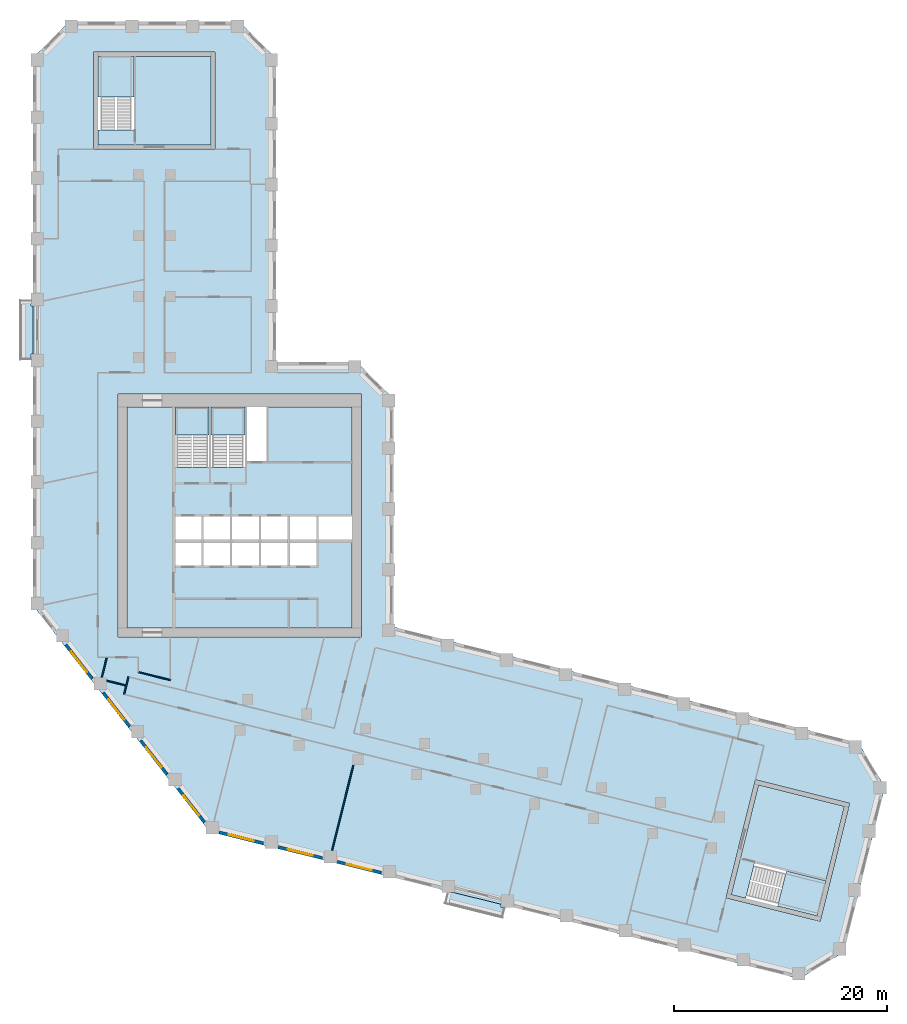
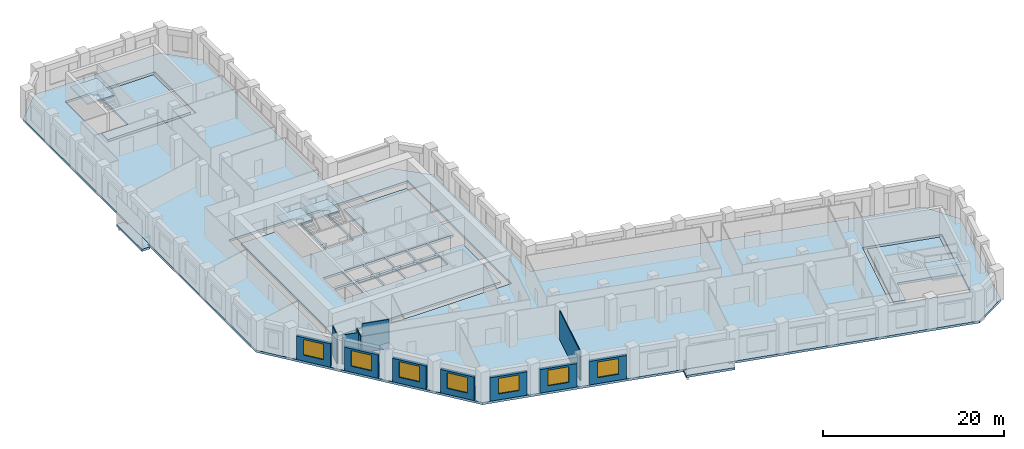
# One storey, part 2 of 10: 12 walls, 10 slabs, 7 windows, 7 openings, 4 elements without a shape of their own.
"""IFC4 building model written with IfcOpenShell, lengths in metres."""

from ifc_helpers import new_model, si_unit, direction, frame, frame_2d, origin, place, context, subcontext, project, spatial, polyline, rectangle, outline, extrude, material, layer, layer_set, type_object, element, fill, aggregate, save


model = new_model("IFC4")

# Units and contexts
model_context = context("Model", 3, precision=1e-05, world=origin(), true_north=direction((0.0, 1.0)))
body_context = subcontext(model_context, "Body", "Model", "MODEL_VIEW")
ifc_project = project(units=[si_unit("LENGTHUNIT", "METRE"), si_unit("AREAUNIT", "SQUARE_METRE"), si_unit("VOLUMEUNIT", "CUBIC_METRE"), si_unit("PLANEANGLEUNIT", "RADIAN"), si_unit("MASSUNIT", "GRAM", prefix="KILO")], contexts=[model_context])

# Site, building, storey
site_placement = place(None, origin())
site = spatial("IfcSite", under=ifc_project, at=site_placement, CompositionType="ELEMENT")
building_placement = place(site_placement, origin())
building = spatial("IfcBuilding", under=site, at=building_placement, Name="Meshkara Civic Tower", CompositionType="ELEMENT")
storey_placement = place(building_placement, frame((0.0, 0.0, 174.0)))
storey = spatial("IfcBuildingStorey", under=building, at=storey_placement, Name="L39", CompositionType="ELEMENT", Elevation=174.0)

# Slabs
ifc_material_1 = material(Name="Concrete C40", Category="concrete")
ifc_layer_1 = layer(ifc_material_1, 0.300048828125)
ifc_layer_set_1 = layer_set([ifc_layer_1], Name="BALCONY SLAB")
slab_type_1 = type_object("IfcSlabType", Name="BALCONY SLAB", PredefinedType="FLOOR", material=ifc_layer_set_1)
slab_1_placement = place(storey_placement, frame((0.0, 0.0, -0.300048828125)))
element("IfcSlab", 1, at=slab_1_placement, inside=storey, type_object=slab_type_1, Name="Balcony slab", PredefinedType="FLOOR", context=body_context, shape_type="SweptSolid", body=[
    extrude(outline(polyline([(-1.199951171875, 40.114990234375), (-1.199951171875, 45.695068359375), (-0.14990234375, 45.695068359375), (-0.14990234375, 45.155029296875), (0.0, 45.155029296875), (0.0, 40.655029296875), (-0.14990234375, 40.655029296875), (-0.14990234375, 40.114990234375), (-1.199951171875, 40.114990234375)])), origin(), (0.0, 0.0, 1.0), 0.300048828125),
])
slab_2_placement = place(storey_placement, frame((0.0, 0.0, -0.300048828125)))
element("IfcSlab", 2, at=slab_2_placement, inside=storey, type_object=slab_type_1, Name="Balcony slab", PredefinedType="FLOOR", context=body_context, shape_type="SweptSolid", body=[
    extrude(outline(polyline([(44.048095703125, -12.218994140625), (38.633056640625, -10.868896484375), (38.885986328125, -9.85302734375), (39.51904296875, -9.85302734375), (43.905029296875, -10.947021484375), (43.905029296875, -11.23193359375), (44.2939453125, -11.23193359375), (44.048095703125, -12.218994140625)])), origin(), (0.0, 0.0, 1.0), 0.300048828125),
])
ifc_material_2 = material(Name="Concrete C40/50", Category="concrete")
ifc_layer_2 = layer(ifc_material_2, 0.300048828125)
ifc_layer_set_2 = layer_set([ifc_layer_2], Name="Core floor slab 300 C40/50")
slab_type_2 = type_object("IfcSlabType", Name="Core floor slab 300 C40/50", PredefinedType="FLOOR", material=ifc_layer_set_2)
slab_3_placement = place(storey_placement, frame((0.0, 0.0, -0.300048828125)))
element("IfcSlab", 3, at=slab_3_placement, inside=storey, type_object=slab_type_2, Name="Core floor K", PredefinedType="FLOOR", context=body_context, shape_type="SweptSolid", body=[
    extrude(outline(polyline([(8.85009765625, 35.699951171875), (13.3701171875, 35.699951171875), (13.3701171875, 30.00146484375), (16.5, 30.00146484375), (16.5, 35.699951171875), (16.699951171875, 35.699951171875), (16.699951171875, 30.00146484375), (19.89990234375, 30.00146484375), (19.89990234375, 35.699951171875), (20.10009765625, 35.699951171875), (20.10009765625, 30.574951171875), (21.925048828125, 30.574951171875), (21.925048828125, 35.699951171875), (29.949951171875, 35.699951171875), (29.949951171875, 25.39990234375), (26.800048828125, 25.39990234375), (26.800048828125, 23.27001953125), (29.949951171875, 23.27001953125), (29.949951171875, 14.949951171875), (8.85009765625, 14.949951171875), (8.85009765625, 35.699951171875)]), holes=[polyline([(15.800048828125, 22.929931640625), (13.3701171875, 22.929931640625), (13.3701171875, 20.800048828125), (15.800048828125, 20.800048828125), (15.800048828125, 22.929931640625)]), polyline([(16.0, 22.929931640625), (16.0, 20.800048828125), (18.5, 20.800048828125), (18.5, 22.929931640625), (16.0, 22.929931640625)]), polyline([(18.699951171875, 22.929931640625), (18.699951171875, 20.800048828125), (21.199951171875, 20.800048828125), (21.199951171875, 22.929931640625), (18.699951171875, 22.929931640625)]), polyline([(15.800048828125, 23.27001953125), (15.800048828125, 25.39990234375), (13.3701171875, 25.39990234375), (13.3701171875, 23.27001953125), (15.800048828125, 23.27001953125)]), polyline([(16.0, 25.39990234375), (16.0, 23.27001953125), (18.5, 23.27001953125), (18.5, 25.39990234375), (16.0, 25.39990234375)]), polyline([(21.39990234375, 20.800048828125), (23.89990234375, 20.800048828125), (23.89990234375, 22.929931640625), (21.39990234375, 22.929931640625), (21.39990234375, 20.800048828125)]), polyline([(24.10009765625, 20.800048828125), (26.60009765625, 20.800048828125), (26.60009765625, 22.929931640625), (24.10009765625, 22.929931640625), (24.10009765625, 20.800048828125)]), polyline([(18.699951171875, 25.39990234375), (18.699951171875, 23.27001953125), (21.199951171875, 23.27001953125), (21.199951171875, 25.39990234375), (18.699951171875, 25.39990234375)]), polyline([(21.39990234375, 25.39990234375), (21.39990234375, 23.27001953125), (23.89990234375, 23.27001953125), (23.89990234375, 25.39990234375), (21.39990234375, 25.39990234375)]), polyline([(26.60009765625, 23.27001953125), (26.60009765625, 25.39990234375), (24.10009765625, 25.39990234375), (24.10009765625, 23.27001953125), (26.60009765625, 23.27001953125)])]), origin(), (0.0, 0.0, 1.0), 0.300048828125),
])
slab_4_placement = place(storey_placement, frame((0.0, 0.0, -0.300048828125)))
element("IfcSlab", 4, at=slab_4_placement, inside=storey, type_object=slab_type_2, Name="Core floor EA", PredefinedType="FLOOR", context=body_context, shape_type="SweptSolid", body=[
    extrude(outline(polyline([(16.699951171875, 60.27001953125), (16.699951171875, 68.570068359375), (9.5, 68.570068359375), (9.5, 61.67138671875), (6.10009765625, 61.67138671875), (6.10009765625, 60.27001953125), (16.699951171875, 60.27001953125)])), origin(), (0.0, 0.0, 1.0), 0.300048828125),
])
slab_5_placement = place(storey_placement, frame((0.0, 0.0, -0.300048828125)))
element("IfcSlab", 5, at=slab_5_placement, inside=storey, type_object=slab_type_2, Name="Core floor EB", PredefinedType="FLOOR", context=body_context, shape_type="SweptSolid", body=[
    extrude(outline(polyline([(68.050537109375, 0.244384765625), (76.10400390625, -1.763671875), (74.362060546875, -8.749755859375), (67.66845703125, -7.080810546875), (66.845947265625, -10.3798828125), (65.486083984375, -10.040771484375), (68.050537109375, 0.244384765625)])), origin(), (0.0, 0.0, 1.0), 0.300048828125),
])

# Stair, slab
ifc_material_3 = material(Name="Precast concrete C40/50", Category="concrete")
stair_type = type_object("IfcStairType", Name="Exit stair half-turn 24 risers precast", PredefinedType="HALF_TURN_STAIR", material=ifc_material_3)
stair_1_placement = place(storey_placement, origin())
stair_1 = element("IfcStair", 6, at=stair_1_placement, inside=storey, type_object=stair_type, Name="L39 exit stair 1", PredefinedType="HALF_TURN_STAIR")
ifc_material_4 = material(Name="Precast concrete C40/50", Category="concrete")
ifc_layer_3 = layer(ifc_material_4, 0.199951171875)
ifc_layer_set_3 = layer_set([ifc_layer_3], Name="Exit stair landing 200")
slab_type_3 = type_object("IfcSlabType", Name="Exit stair landing 200", PredefinedType="LANDING", material=ifc_layer_set_3)
slab_6_placement = place(storey_placement, frame((0.0, 0.0, 1.89990234375)))
slab_6 = element("IfcSlab", 7, at=slab_6_placement, type_object=slab_type_3, Name="ST1 landing 1", PredefinedType="LANDING", context=body_context, shape_type="SweptSolid", body=[
    extrude(outline(polyline([(16.5, 33.07861328125), (16.5, 35.699951171875), (13.3701171875, 35.699951171875), (13.3701171875, 33.07861328125), (16.5, 33.07861328125)])), origin(), (0.0, 0.0, 1.0), 0.2001953125),
])
aggregate(stair_1, [slab_6])

stair_2_placement = place(storey_placement, origin())
stair_2 = element("IfcStair", 8, at=stair_2_placement, inside=storey, type_object=stair_type, Name="L39 exit stair 2", PredefinedType="HALF_TURN_STAIR")
slab_7_placement = place(storey_placement, frame((0.0, 0.0, 1.89990234375)))
slab_7 = element("IfcSlab", 9, at=slab_7_placement, type_object=slab_type_3, Name="ST2 landing 1", PredefinedType="LANDING", context=body_context, shape_type="SweptSolid", body=[
    extrude(outline(polyline([(19.89990234375, 33.07861328125), (19.89990234375, 35.699951171875), (16.699951171875, 35.699951171875), (16.699951171875, 33.07861328125), (19.89990234375, 33.07861328125)])), origin(), (0.0, 0.0, 1.0), 0.2001953125),
])
aggregate(stair_2, [slab_7])

stair_3_placement = place(storey_placement, origin())
stair_3 = element("IfcStair", 10, at=stair_3_placement, inside=storey, type_object=stair_type, Name="L39 exit stair A from L35", PredefinedType="HALF_TURN_STAIR")
slab_8_placement = place(storey_placement, frame((0.0, 0.0, 1.89990234375)))
slab_8 = element("IfcSlab", 11, at=slab_8_placement, type_object=slab_type_3, Name="ESA3 landing 1", PredefinedType="LANDING", context=body_context, shape_type="SweptSolid", body=[
    extrude(outline(polyline([(9.5, 64.74853515625), (9.5, 68.570068359375), (6.10009765625, 68.570068359375), (6.10009765625, 64.74853515625), (9.5, 64.74853515625)])), origin(), (0.0, 0.0, 1.0), 0.2001953125),
])
aggregate(stair_3, [slab_8])

stair_4_placement = place(storey_placement, origin())
stair_4 = element("IfcStair", 12, at=stair_4_placement, inside=storey, type_object=stair_type, Name="L39 exit stair B from L35", PredefinedType="HALF_TURN_STAIR")
slab_9_placement = place(storey_placement, frame((0.0, 0.0, 1.89990234375)))
slab_9 = element("IfcSlab", 13, at=slab_9_placement, type_object=slab_type_3, Name="ESB3 landing 1", PredefinedType="LANDING", context=body_context, shape_type="SweptSolid", body=[
    extrude(outline(polyline([(69.831298828125, -11.124755859375), (73.5400390625, -12.049072265625), (74.3623046875, -8.7490234375), (70.653564453125, -7.82470703125), (69.831298828125, -11.124755859375)])), origin(), (0.0, 0.0, 1.0), 0.2001953125),
])
aggregate(stair_4, [slab_9])

# Slab
ifc_material_5 = material(Name="Concrete C50", Category="concrete")
ifc_layer_4 = layer(ifc_material_5, 0.300048828125)
ifc_layer_set_4 = layer_set([ifc_layer_4], Name="Post-tensioned flat slab 300 C50")
slab_type_4 = type_object("IfcSlabType", Name="Post-tensioned flat slab 300 C50", PredefinedType="FLOOR", material=ifc_layer_set_4)
slab_10_placement = place(storey_placement, frame((0.0, 0.0, -0.300048828125)))
element("IfcSlab", 14, at=slab_10_placement, inside=storey, type_object=slab_type_4, Name="Post-tensioned flat slab L39", PredefinedType="FLOOR", context=body_context, shape_type="SweptSolid", body=[
    extrude(outline(polyline([(76.044921875, -15.43505859375), (71.89892578125, -17.926025390625), (16.592041015625, -4.136962890625), (0.0, 17.10009765625), (0.0, 68.39990234375), (3.419921875, 71.820068359375), (19.3798828125, 71.820068359375), (22.800048828125, 68.39990234375), (22.800048828125, 39.89990234375), (30.3798828125, 39.89990234375), (33.800048828125, 36.47998046875), (33.800048828125, 15.071044921875), (77.4150390625, 4.196044921875), (79.906005859375, 0.051025390625), (76.044921875, -15.43505859375)]), holes=[polyline([(73.8310546875, -12.533935546875), (76.589111328125, -1.471923828125), (67.759033203125, 0.72900390625), (65.0009765625, -10.33203125), (73.8310546875, -12.533935546875)]), polyline([(8.0, 14.10009765625), (30.800048828125, 14.10009765625), (30.800048828125, 36.89990234375), (8.0, 36.89990234375), (8.0, 14.10009765625)]), polyline([(5.699951171875, 68.969970703125), (5.699951171875, 59.8701171875), (17.10009765625, 59.8701171875), (17.10009765625, 68.969970703125), (5.699951171875, 68.969970703125)])]), origin(), (0.0, 0.0, 1.0), 0.300048828125),
])

# Walls
ifc_material_6 = material(Name="Corridor wall 100")
ifc_layer_5 = layer(ifc_material_6, 0.10009765625)
ifc_layer_set_5 = layer_set([ifc_layer_5], Name="Corridor wall 100")
wall_type_1 = type_object("IfcWallType", Name="Corridor wall 100", PredefinedType="PARTITIONING", material=ifc_layer_set_5)
wall_1_placement = place(storey_placement, frame((8.972900390625, 10.382080078125, 0.0), z_axis=(0.0, 0.0, 1.0), x_axis=(-0.241650823739, -0.970363271866, 0.0)))
element("IfcWall", 15, at=wall_1_placement, inside=storey, type_object=wall_type_1, Name="L39-W008", PredefinedType="PARTITIONING", context=body_context, shape_type="SweptSolid", body=[
    extrude(rectangle(XDim=1.688232421875, YDim=0.10009765625, at=frame_2d((0.84423828125, 0.0))), origin(), (0.0, 0.0, 1.0), 3.89990234375),
])
wall_2_placement = place(storey_placement, frame((9.89990234375, 10.825927734375, 0.0), z_axis=(0.0, 0.0, 1.0), x_axis=(0.970290953223, -0.241941038466, 0.0)))
element("IfcWall", 16, at=wall_2_placement, inside=storey, type_object=wall_type_1, Name="L39-W009", PredefinedType="PARTITIONING", context=body_context, shape_type="SweptSolid", body=[
    extrude(rectangle(XDim=3.091796875, YDim=0.10009765625, at=frame_2d((1.5458984375, 0.0))), origin(), (0.0, 0.0, 1.0), 3.89990234375),
])

# Wall, opening, window
ifc_material_7 = material(Name="Insulated infill panel with bronze anodised aluminium cladding", Category="aluminium")
ifc_layer_6 = layer(ifc_material_7, 0.300048828125)
ifc_layer_set_6 = layer_set([ifc_layer_6], Name="EXTERNAL INFILL WALL 300")
wall_type_2 = type_object("IfcWallType", Name="EXTERNAL INFILL WALL 300", PredefinedType="SOLIDWALL", material=ifc_layer_set_6)
wall_3_placement = place(storey_placement, frame((3.095947265625, 13.381103515625, 0.0), z_axis=(0.0, 0.0, 1.0), x_axis=(0.615563820493, -0.78808704018, 0.0)))
wall_3 = element("IfcWall", 17, at=wall_3_placement, inside=storey, type_object=wall_type_2, Name="External wall", PredefinedType="SOLIDWALL", context=body_context, shape_type="SweptSolid", body=[
    extrude(rectangle(XDim=4.01611328125, YDim=0.300048828125, at=frame_2d((2.008056640625, 0.0))), origin(), (0.0, 0.0, 1.0), 3.14990234375),
])
opening_1_placement = place(wall_3_placement, frame((0.80810546875, 0.0, 0.800048828125)))
opening_1 = element("IfcOpeningElement", 18, at=opening_1_placement, cuts=wall_3, Name="Opening W7", PredefinedType="OPENING", context=body_context, shape_type="SweptSolid", body=[
    extrude(rectangle(XDim=2.39990234375, YDim=2.10009765625, at=frame_2d((1.199951171875, 1.050048828125))), frame((0.0, 0.159912109375, 0.0), z_axis=(0.0, -1.0, 0.0), x_axis=(1.0, 0.0, 0.0)), (0.0, 0.0, 1.0), 0.320068359375),
])
ifc_material_8 = material(Name="Tinted double glazing", Category="glass")
window_type = type_object("IfcWindowType", Name="WINDOW 2400x2100", PartitioningType="DOUBLE_PANEL_VERTICAL", PredefinedType="WINDOW", material=ifc_material_8)
window_1_placement = place(opening_1_placement, origin())
window_1 = element("IfcWindow", 19, at=window_1_placement, inside=storey, type_object=window_type, Name="Window", OverallHeight=2.10009765625, OverallWidth=2.39990234375, PartitioningType="DOUBLE_PANEL_VERTICAL", PredefinedType="WINDOW", context=body_context, shape_type="SweptSolid", body=[
    extrude(rectangle(XDim=2.39990234375, YDim=2.10009765625, at=frame_2d((1.199951171875, 1.050048828125))), frame((0.0, 0.030029296875, 0.0), z_axis=(0.0, -1.0, 0.0), x_axis=(1.0, 0.0, 0.0)), (0.0, 0.0, 1.0), 0.06005859375),
])
fill(opening_1, window_1)

wall_4_placement = place(storey_placement, frame((6.60498046875, 8.888916015625, 0.0), z_axis=(0.0, 0.0, 1.0), x_axis=(0.615706559089, -0.787975528233, 0.0)))
wall_4 = element("IfcWall", 20, at=wall_4_placement, inside=storey, type_object=wall_type_2, Name="External wall", PredefinedType="SOLIDWALL", context=body_context, shape_type="SweptSolid", body=[
    extrude(rectangle(XDim=4.016357421875, YDim=0.300048828125, at=frame_2d((2.00830078125, 0.0))), origin(), (0.0, 0.0, 1.0), 3.14990234375),
])
opening_2_placement = place(wall_4_placement, frame((0.80810546875, 0.0, 0.800048828125)))
opening_2 = element("IfcOpeningElement", 21, at=opening_2_placement, cuts=wall_4, Name="Opening W7", PredefinedType="OPENING", context=body_context, shape_type="SweptSolid", body=[
    extrude(rectangle(XDim=2.39990234375, YDim=2.10009765625, at=frame_2d((1.199951171875, 1.050048828125))), frame((0.0, 0.159912109375, 0.0), z_axis=(0.0, -1.0, 0.0), x_axis=(1.0, 0.0, 0.0)), (0.0, 0.0, 1.0), 0.320068359375),
])
window_2_placement = place(opening_2_placement, origin())
window_2 = element("IfcWindow", 22, at=window_2_placement, inside=storey, type_object=window_type, Name="Window", OverallHeight=2.10009765625, OverallWidth=2.39990234375, PartitioningType="DOUBLE_PANEL_VERTICAL", PredefinedType="WINDOW", context=body_context, shape_type="SweptSolid", body=[
    extrude(rectangle(XDim=2.39990234375, YDim=2.10009765625, at=frame_2d((1.199951171875, 1.050048828125))), frame((0.0, 0.030029296875, 0.0), z_axis=(0.0, -1.0, 0.0), x_axis=(1.0, 0.0, 0.0)), (0.0, 0.0, 1.0), 0.06005859375),
])
fill(opening_2, window_2)

wall_5_placement = place(storey_placement, frame((10.114990234375, 4.39697265625, 0.0), z_axis=(0.0, 0.0, 1.0), x_axis=(0.615644041972, -0.788024373725, 0.0)))
wall_5 = element("IfcWall", 23, at=wall_5_placement, inside=storey, type_object=wall_type_2, Name="External wall", PredefinedType="SOLIDWALL", context=body_context, shape_type="SweptSolid", body=[
    extrude(rectangle(XDim=4.01513671875, YDim=0.300048828125, at=frame_2d((2.007568359375, 0.0))), origin(), (0.0, 0.0, 1.0), 3.14990234375),
])
opening_3_placement = place(wall_5_placement, frame((0.806884765625, 0.0, 0.800048828125)))
opening_3 = element("IfcOpeningElement", 24, at=opening_3_placement, cuts=wall_5, Name="Opening W7", PredefinedType="OPENING", context=body_context, shape_type="SweptSolid", body=[
    extrude(rectangle(XDim=2.39990234375, YDim=2.10009765625, at=frame_2d((1.199951171875, 1.050048828125))), frame((0.0, 0.159912109375, 0.0), z_axis=(0.0, -1.0, 0.0), x_axis=(1.0, 0.0, 0.0)), (0.0, 0.0, 1.0), 0.320068359375),
])
window_3_placement = place(opening_3_placement, origin())
window_3 = element("IfcWindow", 25, at=window_3_placement, inside=storey, type_object=window_type, Name="Window", OverallHeight=2.10009765625, OverallWidth=2.39990234375, PartitioningType="DOUBLE_PANEL_VERTICAL", PredefinedType="WINDOW", context=body_context, shape_type="SweptSolid", body=[
    extrude(rectangle(XDim=2.39990234375, YDim=2.10009765625, at=frame_2d((1.199951171875, 1.050048828125))), frame((0.0, 0.030029296875, 0.0), z_axis=(0.0, -1.0, 0.0), x_axis=(1.0, 0.0, 0.0)), (0.0, 0.0, 1.0), 0.06005859375),
])
fill(opening_3, window_3)

wall_6_placement = place(storey_placement, frame((13.6240234375, -0.093994140625, 0.0), z_axis=(0.0, 0.0, 1.0), x_axis=(0.615526062586, -0.7881165309, 0.0)))
wall_6 = element("IfcWall", 26, at=wall_6_placement, inside=storey, type_object=wall_type_2, Name="External wall", PredefinedType="SOLIDWALL", context=body_context, shape_type="SweptSolid", body=[
    extrude(rectangle(XDim=4.015869140625, YDim=0.300048828125, at=frame_2d((2.0078125, 0.0))), origin(), (0.0, 0.0, 1.0), 3.14990234375),
])
opening_4_placement = place(wall_6_placement, frame((0.80810546875, 0.0, 0.800048828125)))
opening_4 = element("IfcOpeningElement", 27, at=opening_4_placement, cuts=wall_6, Name="Opening W7", PredefinedType="OPENING", context=body_context, shape_type="SweptSolid", body=[
    extrude(rectangle(XDim=2.39990234375, YDim=2.10009765625, at=frame_2d((1.199951171875, 1.050048828125))), frame((0.0, 0.159912109375, 0.0), z_axis=(0.0, -1.0, 0.0), x_axis=(1.0, 0.0, 0.0)), (0.0, 0.0, 1.0), 0.320068359375),
])
window_4_placement = place(opening_4_placement, origin())
window_4 = element("IfcWindow", 28, at=window_4_placement, inside=storey, type_object=window_type, Name="Window", OverallHeight=2.10009765625, OverallWidth=2.39990234375, PartitioningType="DOUBLE_PANEL_VERTICAL", PredefinedType="WINDOW", context=body_context, shape_type="SweptSolid", body=[
    extrude(rectangle(XDim=2.39990234375, YDim=2.10009765625, at=frame_2d((1.199951171875, 1.050048828125))), frame((0.0, 0.030029296875, 0.0), z_axis=(0.0, -1.0, 0.0), x_axis=(1.0, 0.0, 0.0)), (0.0, 0.0, 1.0), 0.06005859375),
])
fill(opening_4, window_4)

wall_7_placement = place(storey_placement, frame((17.48388671875, -4.205078125, 0.0), z_axis=(0.0, 0.0, 1.0), x_axis=(0.970318118028, -0.241832069473, 0.0)))
wall_7 = element("IfcWall", 29, at=wall_7_placement, inside=storey, type_object=wall_type_2, Name="External wall", PredefinedType="SOLIDWALL", context=body_context, shape_type="SweptSolid", body=[
    extrude(rectangle(XDim=4.24609375, YDim=0.300048828125, at=frame_2d((2.123046875, 0.0))), origin(), (0.0, 0.0, 1.0), 3.14990234375),
])
opening_5_placement = place(wall_7_placement, frame((0.923095703125, 0.0, 0.800048828125)))
opening_5 = element("IfcOpeningElement", 30, at=opening_5_placement, cuts=wall_7, Name="Opening W7", PredefinedType="OPENING", context=body_context, shape_type="SweptSolid", body=[
    extrude(rectangle(XDim=2.39990234375, YDim=2.10009765625, at=frame_2d((1.199951171875, 1.050048828125))), frame((0.0, 0.159912109375, 0.0), z_axis=(0.0, -1.0, 0.0), x_axis=(1.0, 0.0, 0.0)), (0.0, 0.0, 1.0), 0.320068359375),
])
window_5_placement = place(opening_5_placement, origin())
window_5 = element("IfcWindow", 31, at=window_5_placement, inside=storey, type_object=window_type, Name="Window", OverallHeight=2.10009765625, OverallWidth=2.39990234375, PartitioningType="DOUBLE_PANEL_VERTICAL", PredefinedType="WINDOW", context=body_context, shape_type="SweptSolid", body=[
    extrude(rectangle(XDim=2.39990234375, YDim=2.10009765625, at=frame_2d((1.199951171875, 1.050048828125))), frame((0.0, 0.030029296875, 0.0), z_axis=(0.0, -1.0, 0.0), x_axis=(1.0, 0.0, 0.0)), (0.0, 0.0, 1.0), 0.06005859375),
])
fill(opening_5, window_5)

wall_8_placement = place(storey_placement, frame((23.014892578125, -5.583984375, 0.0), z_axis=(0.0, 0.0, 1.0), x_axis=(0.970291164166, -0.241940192487, 0.0)))
wall_8 = element("IfcWall", 32, at=wall_8_placement, inside=storey, type_object=wall_type_2, Name="External wall", PredefinedType="SOLIDWALL", context=body_context, shape_type="SweptSolid", body=[
    extrude(rectangle(XDim=4.245361328125, YDim=0.300048828125, at=frame_2d((2.12255859375, 0.0))), origin(), (0.0, 0.0, 1.0), 3.14990234375),
])
opening_6_placement = place(wall_8_placement, frame((0.922119140625, 0.0, 0.800048828125)))
opening_6 = element("IfcOpeningElement", 33, at=opening_6_placement, cuts=wall_8, Name="Opening W7", PredefinedType="OPENING", context=body_context, shape_type="SweptSolid", body=[
    extrude(rectangle(XDim=2.39990234375, YDim=2.10009765625, at=frame_2d((1.199951171875, 1.050048828125))), frame((0.0, 0.159912109375, 0.0), z_axis=(0.0, -1.0, 0.0), x_axis=(1.0, 0.0, 0.0)), (0.0, 0.0, 1.0), 0.320068359375),
])
window_6_placement = place(opening_6_placement, origin())
window_6 = element("IfcWindow", 34, at=window_6_placement, inside=storey, type_object=window_type, Name="Window", OverallHeight=2.10009765625, OverallWidth=2.39990234375, PartitioningType="DOUBLE_PANEL_VERTICAL", PredefinedType="WINDOW", context=body_context, shape_type="SweptSolid", body=[
    extrude(rectangle(XDim=2.39990234375, YDim=2.10009765625, at=frame_2d((1.199951171875, 1.050048828125))), frame((0.0, 0.030029296875, 0.0), z_axis=(0.0, -1.0, 0.0), x_axis=(1.0, 0.0, 0.0)), (0.0, 0.0, 1.0), 0.06005859375),
])
fill(opening_6, window_6)

wall_9_placement = place(storey_placement, frame((28.544921875, -6.962890625, 0.0), z_axis=(0.0, 0.0, 1.0), x_axis=(0.97030462482, -0.241886202691, 0.0)))
wall_9 = element("IfcWall", 35, at=wall_9_placement, inside=storey, type_object=wall_type_2, Name="External wall", PredefinedType="SOLIDWALL", context=body_context, shape_type="SweptSolid", body=[
    extrude(rectangle(XDim=4.24609375, YDim=0.300048828125, at=frame_2d((2.123046875, 0.0))), origin(), (0.0, 0.0, 1.0), 3.14990234375),
])
opening_7_placement = place(wall_9_placement, frame((0.923095703125, 0.0, 0.800048828125)))
opening_7 = element("IfcOpeningElement", 36, at=opening_7_placement, cuts=wall_9, Name="Opening W7", PredefinedType="OPENING", context=body_context, shape_type="SweptSolid", body=[
    extrude(rectangle(XDim=2.39990234375, YDim=2.10009765625, at=frame_2d((1.199951171875, 1.050048828125))), frame((0.0, 0.159912109375, 0.0), z_axis=(0.0, -1.0, 0.0), x_axis=(1.0, 0.0, 0.0)), (0.0, 0.0, 1.0), 0.320068359375),
])
window_7_placement = place(opening_7_placement, origin())
window_7 = element("IfcWindow", 37, at=window_7_placement, inside=storey, type_object=window_type, Name="Window", OverallHeight=2.10009765625, OverallWidth=2.39990234375, PartitioningType="DOUBLE_PANEL_VERTICAL", PredefinedType="WINDOW", context=body_context, shape_type="SweptSolid", body=[
    extrude(rectangle(XDim=2.39990234375, YDim=2.10009765625, at=frame_2d((1.199951171875, 1.050048828125))), frame((0.0, 0.030029296875, 0.0), z_axis=(0.0, -1.0, 0.0), x_axis=(1.0, 0.0, 0.0)), (0.0, 0.0, 1.0), 0.06005859375),
])
fill(opening_7, window_7)

# Walls
ifc_material_9 = material(Name="Partition 100")
ifc_layer_7 = layer(ifc_material_9, 0.10009765625)
ifc_layer_set_7 = layer_set([ifc_layer_7], Name="Partition 100")
wall_type_3 = type_object("IfcWallType", Name="Partition 100", PredefinedType="PARTITIONING", material=ifc_layer_set_7)
wall_10_placement = place(storey_placement, frame((6.922119140625, 12.137939453125, 0.0), z_axis=(0.0, 0.0, 1.0), x_axis=(-0.242504681353, -0.970150235542, 0.0)))
element("IfcWall", 38, at=wall_10_placement, inside=storey, type_object=wall_type_3, Name="L39-W047", PredefinedType="PARTITIONING", context=body_context, shape_type="SweptSolid", body=[
    extrude(rectangle(XDim=1.8564453125, YDim=0.10009765625, at=frame_2d((0.92822265625, 0.0))), origin(), (0.0, 0.0, 1.0), 3.89990234375),
])
wall_11_placement = place(storey_placement, frame((8.719970703125, 9.573974609375, 0.0), z_axis=(0.0, 0.0, 1.0), x_axis=(-0.97017350799, 0.242411559945, 0.0)))
element("IfcWall", 39, at=wall_11_placement, inside=storey, type_object=wall_type_3, Name="L39-W048", PredefinedType="PARTITIONING", context=body_context, shape_type="SweptSolid", body=[
    extrude(rectangle(XDim=1.85205078125, YDim=0.10009765625, at=frame_2d((0.926025390625, 0.0))), origin(), (0.0, 0.0, 1.0), 3.89990234375),
])
wall_12_placement = place(storey_placement, frame((28.06298828125, -5.89599609375, 0.0), z_axis=(0.0, 0.0, 1.0), x_axis=(0.241894418317, 0.970302576719, 0.0)))
element("IfcWall", 40, at=wall_12_placement, inside=storey, type_object=wall_type_3, Name="L39-W054", PredefinedType="PARTITIONING", context=body_context, shape_type="SweptSolid", body=[
    extrude(rectangle(XDim=8.242919921875, YDim=0.10009765625, at=frame_2d((4.12158203125, 0.0))), origin(), (0.0, 0.0, 1.0), 3.89990234375),
])

save(model, "model.ifc")
